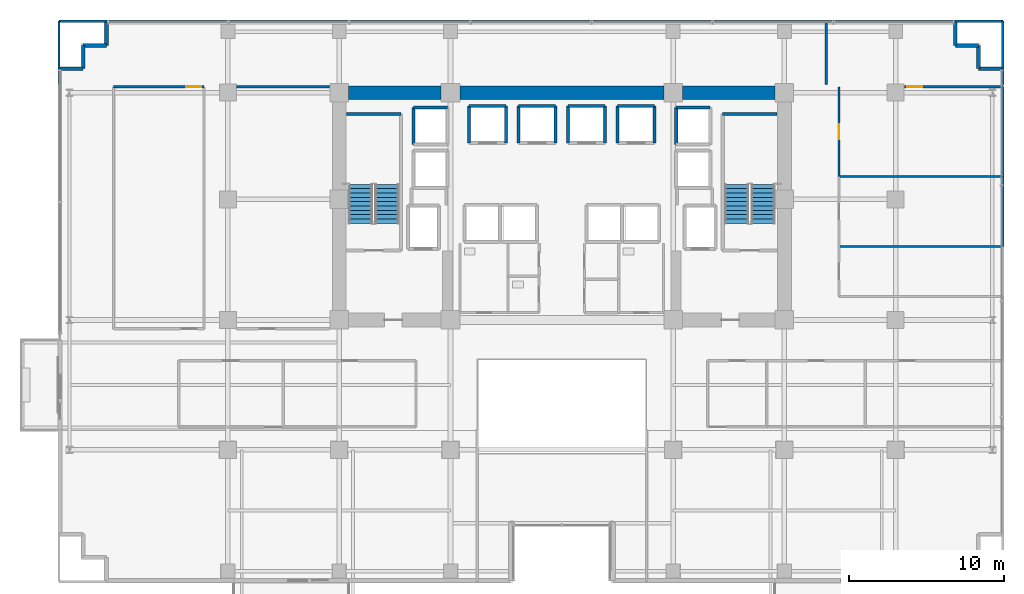
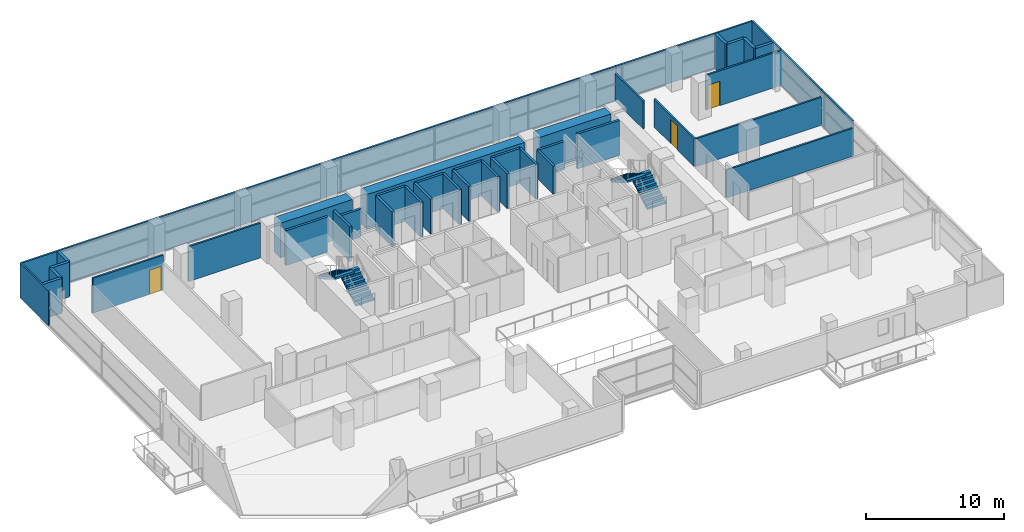
# One storey, part 26 of 31: 42 walls, 4 stair flights, 3 doors, 3 openings, 2 elements without a shape of their own.
"""IFC4 building model written with IfcOpenShell, lengths in metres."""

from ifc_helpers import new_model, si_unit, direction, frame, frame_2d, origin, place, context, subcontext, project, spatial, polyline, rectangle, outline, extrude, source, transform, mapped, material, layer, layer_set, type_object, element, fill, aggregate, save


model = new_model("IFC4")

# Units and contexts
model_context = context("Model", 3, precision=1e-05, world=origin(), true_north=direction((0.0, 1.0)))
body_context = subcontext(model_context, "Body", "Model", "MODEL_VIEW")
ifc_project = project(units=[si_unit("LENGTHUNIT", "METRE"), si_unit("AREAUNIT", "SQUARE_METRE"), si_unit("VOLUMEUNIT", "CUBIC_METRE"), si_unit("PLANEANGLEUNIT", "RADIAN"), si_unit("MASSUNIT", "GRAM", prefix="KILO")], contexts=[model_context])

# Site, building, storey
site_placement = place(None, origin())
site = spatial("IfcSite", under=ifc_project, at=site_placement, CompositionType="ELEMENT")
building_placement = place(site_placement, origin())
building = spatial("IfcBuilding", under=site, at=building_placement, Name="Zarnakvel Exchange Tower", CompositionType="ELEMENT")
storey_placement = place(building_placement, frame((0.0, 0.0, 47.199951171875)))
storey = spatial("IfcBuildingStorey", under=building, at=storey_placement, Name="L12", CompositionType="ELEMENT", Elevation=47.199951171875)

# Walls
ifc_material_1 = material(Name="Concrete C80/95", Category="concrete")
ifc_layer_1 = layer(ifc_material_1, 0.89990234375)
ifc_layer_set_1 = layer_set([ifc_layer_1], Name="Concrete C80/95")
wall_type_1 = type_object("IfcWallType", Name="CW-C1", PredefinedType="SHEAR", material=ifc_layer_set_1)
wall_1_placement = place(storey_placement, frame((-13.800048828125, 13.5, 0.0), z_axis=(0.0, 0.0, 1.0), x_axis=(1.0, 0.0, 0.0)))
element("IfcWall", 1, at=wall_1_placement, inside=storey, type_object=wall_type_1, Name="L12 Rear Core Shear Wall N1 (CW-C1)", PredefinedType="SHEAR", context=body_context, shape_type="SweptSolid", body=[
    extrude(rectangle(XDim=6.0, YDim=0.89990234375, at=frame_2d((3.0, 0.0))), origin(), (0.0, 0.0, 1.0), 3.074951171875),
])
wall_2_placement = place(storey_placement, frame((-6.60009765625, 13.5, 0.0), z_axis=(0.0, 0.0, 1.0), x_axis=(1.0, 0.0, 0.0)))
element("IfcWall", 2, at=wall_2_placement, inside=storey, type_object=wall_type_1, Name="L12 Rear Core Shear Wall N2 (CW-C1)", PredefinedType="SHEAR", context=body_context, shape_type="SweptSolid", body=[
    extrude(rectangle(XDim=13.2001953125, YDim=0.89990234375, at=frame_2d((6.60009765625, 0.0))), origin(), (0.0, 0.0, 1.0), 3.074951171875),
])
wall_3_placement = place(storey_placement, frame((7.800048828125, 13.5, 0.0), z_axis=(0.0, 0.0, 1.0), x_axis=(1.0, 0.0, 0.0)))
element("IfcWall", 3, at=wall_3_placement, inside=storey, type_object=wall_type_1, Name="L12 Rear Core Shear Wall N3 (CW-C1)", PredefinedType="SHEAR", context=body_context, shape_type="SweptSolid", body=[
    extrude(rectangle(XDim=6.0, YDim=0.89990234375, at=frame_2d((3.0, 0.0))), origin(), (0.0, 0.0, 1.0), 3.074951171875),
])
ifc_material_2 = material(Name="Precast concrete C40/50", Category="concrete")
ifc_layer_2 = layer(ifc_material_2, 0.239990234375)
ifc_layer_set_2 = layer_set([ifc_layer_2], Name="Precast concrete C40/50")
wall_type_2 = type_object("IfcWallType", Name="EW-02", PredefinedType="SOLIDWALL", material=ifc_layer_set_2)
for number, where, z_axis, x_axis, name in (
    (4, (-30.9599609375, 15.06005859375, 0.0), (0.0, 0.0, 1.0), (-1.0, 0.0, 0.0), "L12 Exterior Precast Spandrel Wall EWC-L12-03 (EW-02)"),
    (5, (-30.9599609375, 16.56005859375, 0.0), (0.0, 0.0, 1.0), (0.0, -1.0, 0.0), "L12 Exterior Precast Spandrel Wall EWC-L12-04 (EW-02)"),
    (6, (-29.4599609375, 16.56005859375, 0.0), (0.0, 0.0, 1.0), (-1.0, 0.0, 0.0), "L12 Exterior Precast Spandrel Wall EWC-L12-05 (EW-02)"),
    (7, (-29.4599609375, 18.06005859375, 0.0), (0.0, 0.0, 1.0), (0.0, -1.0, 0.0), "L12 Exterior Precast Spandrel Wall EWC-L12-06 (EW-02)"),
    (8, (25.4599609375, 16.56005859375, 0.0), (0.0, 0.0, 1.0), (0.0, 1.0, 0.0), "L12 Exterior Precast Spandrel Wall EWC-L12-07 (EW-02)"),
    (9, (26.9599609375, 16.56005859375, 0.0), (0.0, 0.0, 1.0), (-1.0, 0.0, 0.0), "L12 Exterior Precast Spandrel Wall EWC-L12-08 (EW-02)"),
    (10, (26.9599609375, 15.06005859375, 0.0), (0.0, 0.0, 1.0), (0.0, 1.0, 0.0), "L12 Exterior Precast Spandrel Wall EWC-L12-09 (EW-02)"),
    (11, (28.4599609375, 15.06005859375, 0.0), (0.0, 0.0, 1.0), (-1.0, 0.0, 0.0), "L12 Exterior Precast Spandrel Wall EWC-L12-10 (EW-02)"),
):
    element("IfcWall", number, at=place(storey_placement, frame(where, z_axis=z_axis, x_axis=x_axis)), inside=storey, type_object=wall_type_2, Name=name, PredefinedType="SOLIDWALL", context=body_context, shape_type="SweptSolid", body=[
        extrude(rectangle(XDim=1.5, YDim=0.239990234375, at=frame_2d((0.75, 0.0))), origin(), (0.0, 0.0, 1.0), 3.074951171875),
    ])

# Wall, opening, door
ifc_material_3 = material(Name="Fire-Rated Gypsum Stud Partition", Category="gypsum")
ifc_layer_3 = layer(ifc_material_3, 0.14990234375)
ifc_layer_set_3 = layer_set([ifc_layer_3], Name="Fire-Rated Gypsum Stud Partition")
wall_type_3 = type_object("IfcWallType", Name="PT-01", PredefinedType="PARTITIONING", material=ifc_layer_set_3)
wall_4_placement = place(storey_placement, frame((-28.99609375, 13.8798828125, 0.0), z_axis=(0.0, 0.0, 1.0), x_axis=(1.0, 0.0, 0.0)))
wall_4 = element("IfcWall", 12, at=wall_4_placement, inside=storey, type_object=wall_type_3, Name="L12 Partition Wall PWALL-L12-050 (PT-01)", PredefinedType="PARTITIONING", context=body_context, shape_type="SweptSolid", body=[
    extrude(rectangle(XDim=5.853271484375, YDim=0.14990234375, at=frame_2d((2.9267578125, 0.0))), origin(), (0.0, 0.0, 1.0), 3.074951171875),
])
opening_1_placement = place(wall_4_placement, frame((4.693359375, 0.0, 0.0)))
opening_1 = element("IfcOpeningElement", 13, at=opening_1_placement, cuts=wall_4, Name="Opening D-L12-23", PredefinedType="OPENING", context=body_context, shape_type="SweptSolid", body=[
    extrude(rectangle(XDim=0.97998046875, YDim=2.14990234375, at=frame_2d((0.489990234375, 1.074951171875))), frame((0.0, 0.0849609375, 0.0), z_axis=(0.0, -1.0, 0.0), x_axis=(1.0, 0.0, 0.0)), (0.0, 0.0, 1.0), 0.169921875),
])
ifc_material_4 = material(Name="Timber Acoustic Veneer", Category="wood")
door_type = type_object("IfcDoorType", Name="DT-05", OperationType="NOTDEFINED", PredefinedType="DOOR", material=ifc_material_4)
shared_shape = source(origin(), body_context, "Body", "SweptSolid", [
    extrude(rectangle(XDim=0.97998046875, YDim=2.14990234375, at=frame_2d((0.489990234375, 1.074951171875))), frame((0.0, 0.02490234375, 0.0), z_axis=(0.0, -1.0, 0.0), x_axis=(1.0, 0.0, 0.0)), (0.0, 0.0, 1.0), 0.050048828125),
])
door_1_placement = place(opening_1_placement, origin())
door_1 = element("IfcDoor", 14, at=door_1_placement, inside=storey, type_object=door_type, Name="L12 Compliance Office Door D-L12-23", OperationType="SINGLE_SWING_LEFT", OverallHeight=2.14990234375, OverallWidth=0.97998046875, PredefinedType="DOOR", context=body_context, shape_type="MappedRepresentation", body=[
    mapped(shared_shape, transform((0.0, 0.0, 0.0), x_axis=(1.0, 0.0, 0.0), y_axis=(0.0, 1.0, 0.0), z_axis=(0.0, 0.0, 1.0), scale=1.0)),
])
fill(opening_1, door_1)

# Walls
wall_5_placement = place(storey_placement, frame((-21.030029296875, 13.8798828125, 0.0), z_axis=(0.0, 0.0, 1.0), x_axis=(1.0, 0.0, 0.0)))
element("IfcWall", 15, at=wall_5_placement, inside=storey, type_object=wall_type_3, Name="L12 Partition Wall PWALL-L12-054 (PT-01)", PredefinedType="PARTITIONING", context=body_context, shape_type="SweptSolid", body=[
    extrude(rectangle(XDim=6.010009765625, YDim=0.14990234375, at=frame_2d((3.0048828125, 0.0))), origin(), (0.0, 0.0, 1.0), 3.074951171875),
])
for number, where, z_axis, x_axis, name in (
    (16, (17.929931640625, 3.553466796875, 0.0), (0.0, 0.0, 1.0), (1.0, 0.0, 0.0), "L12 Partition Wall PWALL-L12-056 (PT-01)"),
    (17, (17.929931640625, 8.0751953125, 0.0), (0.0, 0.0, 1.0), (1.0, 0.0, 0.0), "L12 Partition Wall PWALL-L12-059 (PT-01)"),
):
    element("IfcWall", number, at=place(storey_placement, frame(where, z_axis=z_axis, x_axis=x_axis)), inside=storey, type_object=wall_type_3, Name=name, PredefinedType="PARTITIONING", context=body_context, shape_type="SweptSolid", body=[
        extrude(rectangle(XDim=10.60009765625, YDim=0.14990234375, at=frame_2d((5.300048828125, 0.0))), origin(), (0.0, 0.0, 1.0), 2.465087890625),
    ])
wall_6_placement = place(storey_placement, frame((28.530029296875, 8.0751953125, 0.0), z_axis=(0.0, 0.0, 1.0), x_axis=(0.0, -1.0, 0.0)))
element("IfcWall", 18, at=wall_6_placement, inside=storey, type_object=wall_type_3, Name="L12 Partition Wall PWALL-L12-061 (PT-01)", PredefinedType="PARTITIONING", context=body_context, shape_type="SweptSolid", body=[
    extrude(rectangle(XDim=4.521728515625, YDim=0.14990234375, at=frame_2d((2.2607421875, 0.0))), origin(), (0.0, 0.0, 1.0), 3.074951171875),
])

# Wall, opening, door
wall_7_placement = place(storey_placement, frame((22.169921875, 13.8798828125, 0.0), z_axis=(0.0, 0.0, 1.0), x_axis=(1.0, 0.0, 0.0)))
wall_7 = element("IfcWall", 19, at=wall_7_placement, inside=storey, type_object=wall_type_3, Name="L12 Partition Wall PWALL-L12-062 (PT-01)", PredefinedType="PARTITIONING", context=body_context, shape_type="SweptSolid", body=[
    extrude(rectangle(XDim=6.360107421875, YDim=0.14990234375, at=frame_2d((3.18017578125, 0.0))), origin(), (0.0, 0.0, 1.0), 3.074951171875),
])
opening_2_placement = place(wall_7_placement, frame((0.179931640625, 0.0, 0.0)))
opening_2 = element("IfcOpeningElement", 20, at=opening_2_placement, cuts=wall_7, Name="Opening D-L12-24", PredefinedType="OPENING", context=body_context, shape_type="SweptSolid", body=[
    extrude(rectangle(XDim=0.97998046875, YDim=2.14990234375, at=frame_2d((0.489990234375, 1.074951171875))), frame((0.0, 0.0849609375, 0.0), z_axis=(0.0, -1.0, 0.0), x_axis=(1.0, 0.0, 0.0)), (0.0, 0.0, 1.0), 0.169921875),
])
door_2_placement = place(opening_2_placement, origin())
door_2 = element("IfcDoor", 21, at=door_2_placement, inside=storey, type_object=door_type, Name="L12 Client Lounge Door D-L12-24", OperationType="SINGLE_SWING_RIGHT", OverallHeight=2.14990234375, OverallWidth=0.97998046875, PredefinedType="DOOR", context=body_context, shape_type="MappedRepresentation", body=[
    mapped(shared_shape, transform((0.0, 0.0, 0.0), x_axis=(1.0, 0.0, 0.0), y_axis=(0.0, 1.0, 0.0), z_axis=(0.0, 0.0, 1.0), scale=1.0)),
])
fill(opening_2, door_2)

wall_8_placement = place(storey_placement, frame((17.929931640625, 8.0751953125, 0.0), z_axis=(0.0, 0.0, 1.0), x_axis=(0.0, 1.0, 0.0)))
wall_8 = element("IfcWall", 22, at=wall_8_placement, inside=storey, type_object=wall_type_3, Name="L12 Partition Wall PWALL-L12-063 (PT-01)", PredefinedType="PARTITIONING", context=body_context, shape_type="SweptSolid", body=[
    extrude(rectangle(XDim=5.8046875, YDim=0.14990234375, at=frame_2d((2.90234375, 0.0))), origin(), (0.0, 0.0, 1.0), 2.465087890625),
])
opening_3_placement = place(wall_8_placement, frame((2.41259765625, 0.0, 0.0)))
opening_3 = element("IfcOpeningElement", 23, at=opening_3_placement, cuts=wall_8, Name="Opening D-L12-22", PredefinedType="OPENING", context=body_context, shape_type="SweptSolid", body=[
    extrude(rectangle(XDim=0.97998046875, YDim=2.14990234375, at=frame_2d((0.489990234375, 1.074951171875))), frame((0.0, 0.0849609375, 0.0), z_axis=(0.0, -1.0, 0.0), x_axis=(1.0, 0.0, 0.0)), (0.0, 0.0, 1.0), 0.169921875),
])
door_3_placement = place(opening_3_placement, origin())
door_3 = element("IfcDoor", 24, at=door_3_placement, inside=storey, type_object=door_type, Name="L12 Derivatives Trading Hall Door D-L12-22", OperationType="SINGLE_SWING_RIGHT", OverallHeight=2.14990234375, OverallWidth=0.97998046875, PredefinedType="DOOR", context=body_context, shape_type="MappedRepresentation", body=[
    mapped(shared_shape, transform((0.0, 0.0, 0.0), x_axis=(1.0, 0.0, 0.0), y_axis=(0.0, 1.0, 0.0), z_axis=(0.0, 0.0, 1.0), scale=1.0)),
])
fill(opening_3, door_3)

# Walls
wall_9_placement = place(storey_placement, frame((28.530029296875, 13.8798828125, 0.0), z_axis=(0.0, 0.0, 1.0), x_axis=(0.0, -1.0, 0.0)))
element("IfcWall", 25, at=wall_9_placement, inside=storey, type_object=wall_type_3, Name="L12 Partition Wall PWALL-L12-064 (PT-01)", PredefinedType="PARTITIONING", context=body_context, shape_type="SweptSolid", body=[
    extrude(rectangle(XDim=5.8046875, YDim=0.14990234375, at=frame_2d((2.90234375, 0.0))), origin(), (0.0, 0.0, 1.0), 3.074951171875),
])
wall_10_placement = place(storey_placement, frame((-32.530029296875, 18.1298828125, 0.0), z_axis=(0.0, 0.0, 1.0), x_axis=(1.0, 0.0, 0.0)))
element("IfcWall", 26, at=wall_10_placement, inside=storey, type_object=wall_type_3, Name="L12 Partition Wall PWALL-L12-065 (PT-01)", PredefinedType="PARTITIONING", context=body_context, shape_type="SweptSolid", body=[
    extrude(rectangle(XDim=49.630126953125, YDim=0.14990234375, at=frame_2d((24.81494140625, 0.0))), origin(), (0.0, 0.0, 1.0), 3.074951171875),
])
wall_11_placement = place(storey_placement, frame((-32.530029296875, 14.030029296875, 0.0), z_axis=(0.0, 0.0, 1.0), x_axis=(0.0, 1.0, 0.0)))
element("IfcWall", 27, at=wall_11_placement, inside=storey, type_object=wall_type_3, Name="L12 Partition Wall PWALL-L12-066 (PT-01)", PredefinedType="PARTITIONING", context=body_context, shape_type="SweptSolid", body=[
    extrude(rectangle(XDim=4.099853515625, YDim=0.14990234375, at=frame_2d((2.0498046875, 0.0))), origin(), (0.0, 0.0, 1.0), 3.074951171875),
])
wall_12_placement = place(storey_placement, frame((17.10009765625, 18.1298828125, 0.0), z_axis=(0.0, 0.0, 1.0), x_axis=(0.0, -1.0, 0.0)))
element("IfcWall", 28, at=wall_12_placement, inside=storey, type_object=wall_type_3, Name="L12 Partition Wall PWALL-L12-067 (PT-01)", PredefinedType="PARTITIONING", context=body_context, shape_type="SweptSolid", body=[
    extrude(rectangle(XDim=4.099853515625, YDim=0.14990234375, at=frame_2d((2.0498046875, 0.0))), origin(), (0.0, 0.0, 1.0), 2.465087890625),
])
wall_13_placement = place(storey_placement, frame((17.10009765625, 18.1298828125, 0.0), z_axis=(0.0, 0.0, 1.0), x_axis=(1.0, 0.0, 0.0)))
element("IfcWall", 29, at=wall_13_placement, inside=storey, type_object=wall_type_3, Name="L12 Partition Wall PWALL-L12-068 (PT-01)", PredefinedType="PARTITIONING", context=body_context, shape_type="SweptSolid", body=[
    extrude(rectangle(XDim=11.429931640625, YDim=0.14990234375, at=frame_2d((5.71484375, 0.0))), origin(), (0.0, 0.0, 1.0), 3.074951171875),
])
wall_14_placement = place(storey_placement, frame((28.530029296875, 18.1298828125, 0.0), z_axis=(0.0, 0.0, 1.0), x_axis=(0.0, -1.0, 0.0)))
element("IfcWall", 30, at=wall_14_placement, inside=storey, type_object=wall_type_3, Name="L12 Partition Wall PWALL-L12-069 (PT-01)", PredefinedType="PARTITIONING", context=body_context, shape_type="SweptSolid", body=[
    extrude(rectangle(XDim=4.099853515625, YDim=0.14990234375, at=frame_2d((2.0498046875, 0.0))), origin(), (0.0, 0.0, 1.0), 3.074951171875),
])
ifc_material_5 = material(Name="Concrete C40/50", Category="concrete")
ifc_layer_4 = layer(ifc_material_5, 0.199951171875)
ifc_layer_set_4 = layer_set([ifc_layer_4], Name="Concrete C40/50")
wall_type_4 = type_object("IfcWallType", Name="SW-01", PredefinedType="SOLIDWALL", material=ifc_layer_set_4)
for number, where, z_axis, x_axis, name in (
    (31, (-6.0, 12.64990234375, 0.0), (0.0, 0.0, 1.0), (1.0, 0.0, 0.0), "L12 PL-01 Hoistway Wall North"),
    (32, (-6.0, 10.25, 0.0), (0.0, 0.0, 1.0), (0.0, 1.0, 0.0), "L12 PL-01 Hoistway Wall West"),
    (33, (-3.60009765625, 12.64990234375, 0.0), (0.0, 0.0, 1.0), (0.0, -1.0, 0.0), "L12 PL-01 Hoistway Wall East"),
):
    element("IfcWall", number, at=place(storey_placement, frame(where, z_axis=z_axis, x_axis=x_axis)), inside=storey, type_object=wall_type_4, Name=name, PredefinedType="SOLIDWALL", context=body_context, shape_type="SweptSolid", body=[
        extrude(rectangle(XDim=2.39990234375, YDim=0.199951171875, at=frame_2d((1.199951171875, 0.0))), origin(), (0.0, 0.0, 1.0), 3.074951171875),
    ])
wall_15_placement = place(storey_placement, frame((-2.800048828125, 12.64990234375, 0.0), z_axis=(0.0, 0.0, 1.0), x_axis=(1.0, 0.0, 0.0)))
element("IfcWall", 34, at=wall_15_placement, inside=storey, type_object=wall_type_4, Name="L12 PL-02 Hoistway Wall North", PredefinedType="SOLIDWALL", context=body_context, shape_type="SweptSolid", body=[
    extrude(rectangle(XDim=2.400146484375, YDim=0.199951171875, at=frame_2d((1.2001953125, 0.0))), origin(), (0.0, 0.0, 1.0), 3.074951171875),
])
for number, where, z_axis, x_axis, name in (
    (35, (-2.800048828125, 10.25, 0.0), (0.0, 0.0, 1.0), (0.0, 1.0, 0.0), "L12 PL-02 Hoistway Wall West"),
    (36, (-0.39990234375, 12.64990234375, 0.0), (0.0, 0.0, 1.0), (0.0, -1.0, 0.0), "L12 PL-02 Hoistway Wall East"),
):
    element("IfcWall", number, at=place(storey_placement, frame(where, z_axis=z_axis, x_axis=x_axis)), inside=storey, type_object=wall_type_4, Name=name, PredefinedType="SOLIDWALL", context=body_context, shape_type="SweptSolid", body=[
        extrude(rectangle(XDim=2.39990234375, YDim=0.199951171875, at=frame_2d((1.199951171875, 0.0))), origin(), (0.0, 0.0, 1.0), 3.074951171875),
    ])
wall_16_placement = place(storey_placement, frame((0.39990234375, 12.64990234375, 0.0), z_axis=(0.0, 0.0, 1.0), x_axis=(1.0, 0.0, 0.0)))
element("IfcWall", 37, at=wall_16_placement, inside=storey, type_object=wall_type_4, Name="L12 PL-03 Hoistway Wall North", PredefinedType="SOLIDWALL", context=body_context, shape_type="SweptSolid", body=[
    extrude(rectangle(XDim=2.400146484375, YDim=0.199951171875, at=frame_2d((1.2001953125, 0.0))), origin(), (0.0, 0.0, 1.0), 3.074951171875),
])
for number, where, z_axis, x_axis, name in (
    (38, (0.39990234375, 10.25, 0.0), (0.0, 0.0, 1.0), (0.0, 1.0, 0.0), "L12 PL-03 Hoistway Wall West"),
    (39, (2.800048828125, 12.64990234375, 0.0), (0.0, 0.0, 1.0), (0.0, -1.0, 0.0), "L12 PL-03 Hoistway Wall East"),
    (40, (3.60009765625, 12.64990234375, 0.0), (0.0, 0.0, 1.0), (1.0, 0.0, 0.0), "L12 PL-04 Hoistway Wall North"),
    (41, (3.60009765625, 10.25, 0.0), (0.0, 0.0, 1.0), (0.0, 1.0, 0.0), "L12 PL-04 Hoistway Wall West"),
    (42, (6.0, 12.64990234375, 0.0), (0.0, 0.0, 1.0), (0.0, -1.0, 0.0), "L12 PL-04 Hoistway Wall East"),
):
    element("IfcWall", number, at=place(storey_placement, frame(where, z_axis=z_axis, x_axis=x_axis)), inside=storey, type_object=wall_type_4, Name=name, PredefinedType="SOLIDWALL", context=body_context, shape_type="SweptSolid", body=[
        extrude(rectangle(XDim=2.39990234375, YDim=0.199951171875, at=frame_2d((1.199951171875, 0.0))), origin(), (0.0, 0.0, 1.0), 3.074951171875),
    ])
wall_17_placement = place(storey_placement, frame((-9.60009765625, 12.550048828125, 0.0), z_axis=(0.0, 0.0, 1.0), x_axis=(1.0, 0.0, 0.0)))
element("IfcWall", 43, at=wall_17_placement, inside=storey, type_object=wall_type_4, Name="L12 PL-10 Hoistway Wall North", PredefinedType="SOLIDWALL", context=body_context, shape_type="SweptSolid", body=[
    extrude(rectangle(XDim=2.2001953125, YDim=0.199951171875, at=frame_2d((1.10009765625, 0.0))), origin(), (0.0, 0.0, 1.0), 2.465087890625),
])
wall_18_placement = place(storey_placement, frame((-9.60009765625, 10.14990234375, 0.0), z_axis=(0.0, 0.0, 1.0), x_axis=(0.0, 1.0, 0.0)))
element("IfcWall", 44, at=wall_18_placement, inside=storey, type_object=wall_type_4, Name="L12 PL-10 Hoistway Wall West", PredefinedType="SOLIDWALL", context=body_context, shape_type="SweptSolid", body=[
    extrude(rectangle(XDim=2.400146484375, YDim=0.199951171875, at=frame_2d((1.2001953125, 0.0))), origin(), (0.0, 0.0, 1.0), 3.074951171875),
])
wall_19_placement = place(storey_placement, frame((7.39990234375, 12.550048828125, 0.0), z_axis=(0.0, 0.0, 1.0), x_axis=(1.0, 0.0, 0.0)))
element("IfcWall", 45, at=wall_19_placement, inside=storey, type_object=wall_type_4, Name="L12 PL-12 Hoistway Wall North", PredefinedType="SOLIDWALL", context=body_context, shape_type="SweptSolid", body=[
    extrude(rectangle(XDim=2.2001953125, YDim=0.199951171875, at=frame_2d((1.10009765625, 0.0))), origin(), (0.0, 0.0, 1.0), 2.465087890625),
])
wall_20_placement = place(storey_placement, frame((7.39990234375, 10.14990234375, 0.0), z_axis=(0.0, 0.0, 1.0), x_axis=(0.0, 1.0, 0.0)))
element("IfcWall", 46, at=wall_20_placement, inside=storey, type_object=wall_type_4, Name="L12 PL-12 Hoistway Wall West", PredefinedType="SOLIDWALL", context=body_context, shape_type="SweptSolid", body=[
    extrude(rectangle(XDim=2.400146484375, YDim=0.199951171875, at=frame_2d((1.2001953125, 0.0))), origin(), (0.0, 0.0, 1.0), 2.465087890625),
])
ifc_layer_5 = layer(ifc_material_5, 0.199951171875)
ifc_layer_set_5 = layer_set([ifc_layer_5], Name="Concrete C40/50")
wall_type_5 = type_object("IfcWallType", Name="SW-02", PredefinedType="SOLIDWALL", material=ifc_layer_set_5)
for number, where, z_axis, x_axis, name in (
    (47, (-13.929931640625, 12.1298828125, 0.0), (0.0, 0.0, 1.0), (1.0, 0.0, 0.0), "L12 Stairwell Core Wall PWALL-L12-002 (SW-02)"),
    (48, (10.409912109375, 12.1298828125, 0.0), (0.0, 0.0, 1.0), (1.0, 0.0, 0.0), "L12 Stairwell Core Wall PWALL-L12-005 (SW-02)"),
):
    element("IfcWall", number, at=place(storey_placement, frame(where, z_axis=z_axis, x_axis=x_axis)), inside=storey, type_object=wall_type_5, Name=name, PredefinedType="SOLIDWALL", context=body_context, shape_type="SweptSolid", body=[
        extrude(rectangle(XDim=3.52001953125, YDim=0.199951171875, at=frame_2d((1.760009765625, 0.0))), origin(), (0.0, 0.0, 1.0), 3.074951171875),
    ])

# Stair, stair flights
stair_type = type_object("IfcStairType", Name="STR-01", PredefinedType="HALF_TURN_STAIR", material=ifc_material_5)
stair_1_placement = place(storey_placement, origin())
stair_1 = element("IfcStair", 49, at=stair_1_placement, inside=storey, type_object=stair_type, Name="L12 Protected Core Exit Stair ST-01", PredefinedType="HALF_TURN_STAIR")
stair_flight_type = type_object("IfcStairFlightType", Name="FLT-01", PredefinedType="STRAIGHT", material=ifc_material_5)
stair_flight_1_placement = place(storey_placement, frame((-11.31494140625, 5.050048828125, 0.0), z_axis=(0.0, 0.0, 1.0), x_axis=(0.0, 1.0, 0.0)))
stair_flight_1 = element("IfcStairFlight", 50, at=stair_flight_1_placement, type_object=stair_flight_type, Name="ST-01 flight 1", NumberOfRisers=10, NumberOfTreads=9, PredefinedType="STRAIGHT", RiserHeight=0.165, TreadLength=0.28, context=body_context, shape_type="SweptSolid", body=[
    extrude(outline(polyline([(0.0, 0.0), (0.0, 0.1650390625), (0.280029296875, 0.1650390625), (0.280029296875, 0.330078125), (0.56005859375, 0.330078125), (0.56005859375, 0.4951171875), (0.840087890625, 0.4951171875), (0.840087890625, 0.659912109375), (1.1201171875, 0.659912109375), (1.1201171875, 0.824951171875), (1.39990234375, 0.824951171875), (1.39990234375, 0.989990234375), (1.679931640625, 0.989990234375), (1.679931640625, 1.155029296875), (1.9599609375, 1.155029296875), (1.9599609375, 1.320068359375), (2.239990234375, 1.320068359375), (2.239990234375, 1.485107421875), (2.52001953125, 1.485107421875), (2.52001953125, 1.64990234375), (2.52001953125, 1.31103515625), (0.295166015625, 0.0), (0.0, 0.0)])), frame((0.0, 0.77490234375, 0.0), z_axis=(0.0, -1.0, 0.0), x_axis=(1.0, 0.0, 0.0)), (0.0, 0.0, 1.0), 1.550048828125),
])
stair_flight_2_placement = place(storey_placement, frame((-13.02490234375, 7.570068359375, 1.650146484375), z_axis=(0.0, 0.0, 1.0), x_axis=(0.0, -1.0, 0.0)))
stair_flight_2 = element("IfcStairFlight", 51, at=stair_flight_2_placement, type_object=stair_flight_type, Name="ST-01 flight 2", NumberOfRisers=10, NumberOfTreads=9, PredefinedType="STRAIGHT", RiserHeight=0.165, TreadLength=0.28, context=body_context, shape_type="SweptSolid", body=[
    extrude(outline(polyline([(0.0, 0.0), (0.0, 0.1650390625), (0.280029296875, 0.1650390625), (0.280029296875, 0.330078125), (0.56005859375, 0.330078125), (0.56005859375, 0.4951171875), (0.840087890625, 0.4951171875), (0.840087890625, 0.659912109375), (1.1201171875, 0.659912109375), (1.1201171875, 0.824951171875), (1.39990234375, 0.824951171875), (1.39990234375, 0.989990234375), (1.679931640625, 0.989990234375), (1.679931640625, 1.155029296875), (1.9599609375, 1.155029296875), (1.9599609375, 1.320068359375), (2.239990234375, 1.320068359375), (2.239990234375, 1.485107421875), (2.52001953125, 1.485107421875), (2.52001953125, 1.64990234375), (2.52001953125, 1.31103515625), (0.295166015625, 0.0), (0.0, 0.0)])), frame((0.0, 0.77490234375, 0.0), z_axis=(0.0, -1.0, 0.0), x_axis=(1.0, 0.0, 0.0)), (0.0, 0.0, 1.0), 1.550048828125),
])
aggregate(stair_1, [stair_flight_1, stair_flight_2])

stair_2_placement = place(storey_placement, origin())
stair_2 = element("IfcStair", 52, at=stair_2_placement, inside=storey, type_object=stair_type, Name="L12 Protected Core Exit Stair ST-02", PredefinedType="HALF_TURN_STAIR")
stair_flight_3_placement = place(storey_placement, frame((13.02490234375, 5.050048828125, 0.0), z_axis=(0.0, 0.0, 1.0), x_axis=(0.0, 1.0, 0.0)))
stair_flight_3 = element("IfcStairFlight", 53, at=stair_flight_3_placement, type_object=stair_flight_type, Name="ST-02 flight 1", NumberOfRisers=10, NumberOfTreads=9, PredefinedType="STRAIGHT", RiserHeight=0.165, TreadLength=0.28, context=body_context, shape_type="SweptSolid", body=[
    extrude(outline(polyline([(0.0, 0.0), (0.0, 0.1650390625), (0.280029296875, 0.1650390625), (0.280029296875, 0.330078125), (0.56005859375, 0.330078125), (0.56005859375, 0.4951171875), (0.840087890625, 0.4951171875), (0.840087890625, 0.659912109375), (1.1201171875, 0.659912109375), (1.1201171875, 0.824951171875), (1.39990234375, 0.824951171875), (1.39990234375, 0.989990234375), (1.679931640625, 0.989990234375), (1.679931640625, 1.155029296875), (1.9599609375, 1.155029296875), (1.9599609375, 1.320068359375), (2.239990234375, 1.320068359375), (2.239990234375, 1.485107421875), (2.52001953125, 1.485107421875), (2.52001953125, 1.64990234375), (2.52001953125, 1.31103515625), (0.295166015625, 0.0), (0.0, 0.0)])), frame((0.0, 0.77490234375, 0.0), z_axis=(0.0, -1.0, 0.0), x_axis=(1.0, 0.0, 0.0)), (0.0, 0.0, 1.0), 1.550048828125),
])
stair_flight_4_placement = place(storey_placement, frame((11.31494140625, 7.570068359375, 1.650146484375), z_axis=(0.0, 0.0, 1.0), x_axis=(0.0, -1.0, 0.0)))
stair_flight_4 = element("IfcStairFlight", 54, at=stair_flight_4_placement, type_object=stair_flight_type, Name="ST-02 flight 2", NumberOfRisers=10, NumberOfTreads=9, PredefinedType="STRAIGHT", RiserHeight=0.165, TreadLength=0.28, context=body_context, shape_type="SweptSolid", body=[
    extrude(outline(polyline([(0.0, 0.0), (0.0, 0.1650390625), (0.280029296875, 0.1650390625), (0.280029296875, 0.330078125), (0.56005859375, 0.330078125), (0.56005859375, 0.4951171875), (0.840087890625, 0.4951171875), (0.840087890625, 0.659912109375), (1.1201171875, 0.659912109375), (1.1201171875, 0.824951171875), (1.39990234375, 0.824951171875), (1.39990234375, 0.989990234375), (1.679931640625, 0.989990234375), (1.679931640625, 1.155029296875), (1.9599609375, 1.155029296875), (1.9599609375, 1.320068359375), (2.239990234375, 1.320068359375), (2.239990234375, 1.485107421875), (2.52001953125, 1.485107421875), (2.52001953125, 1.64990234375), (2.52001953125, 1.31103515625), (0.295166015625, 0.0), (0.0, 0.0)])), frame((0.0, 0.77490234375, 0.0), z_axis=(0.0, -1.0, 0.0), x_axis=(1.0, 0.0, 0.0)), (0.0, 0.0, 1.0), 1.550048828125),
])
aggregate(stair_2, [stair_flight_3, stair_flight_4])

save(model, "model.ifc")
